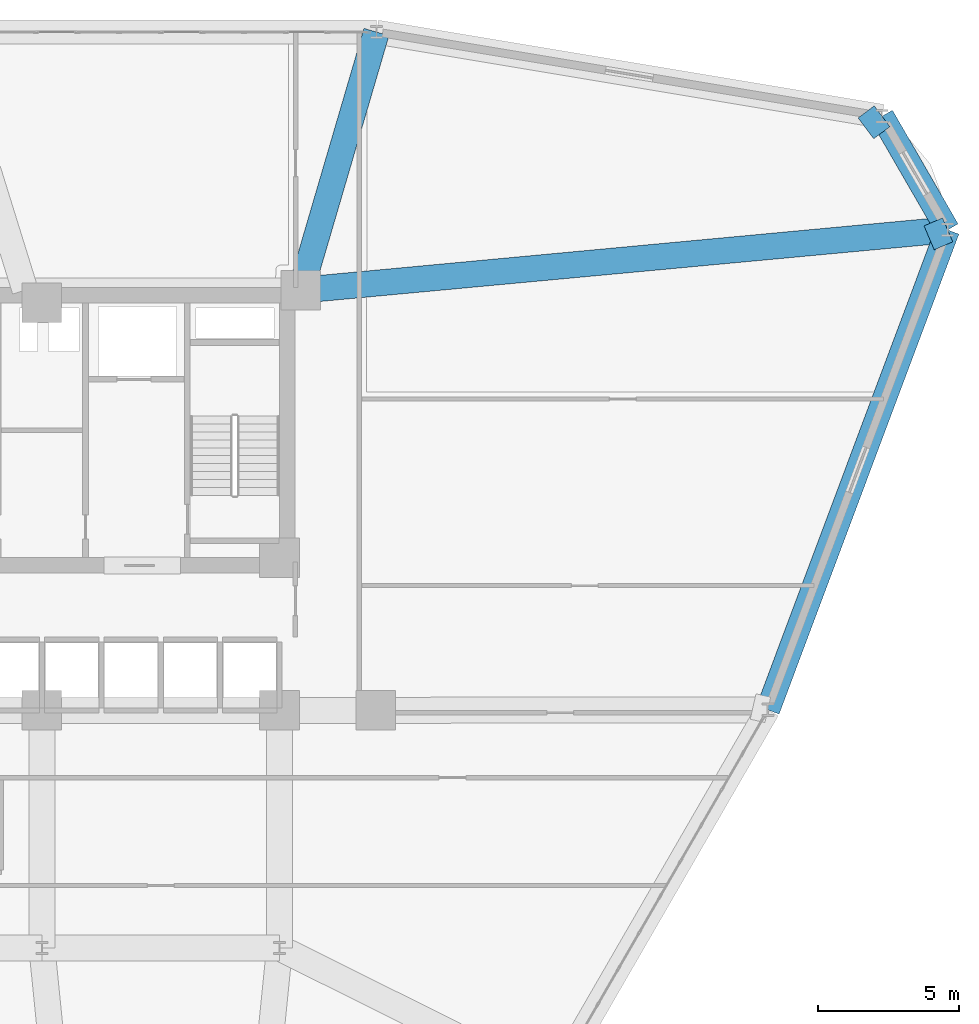
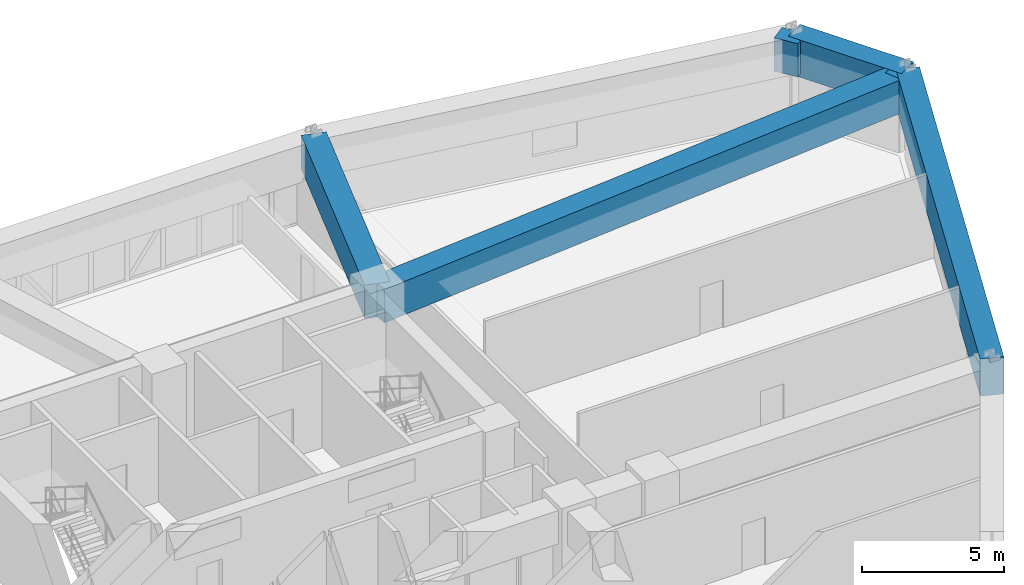
# One storey, part 11 of 18: 6 beams.
"""IFC4 building model written with IfcOpenShell, lengths in metres."""

import ifcopenshell
import ifcopenshell.guid

model = None  # the IFC model being written
_history = None  # IfcOwnerHistory: only IFC2X3 demands one
_inside = {}  # id of a spatial element -> (the spatial element, [elements in it])
_under = {}  # id of a project, library or spatial element -> (it, [spatial elements below it])
_declared = {}  # id of a project -> (the project, [libraries it declares])
_typed = {}  # id of a type object -> (the type object, [elements of that type])
_made_of = {}  # id of a material, layer set ... -> (it, [elements and type objects made of it])


def new_model(schema):
    """Start an empty IFC model of exactly this schema.

    Asked for "IFC4X3", IfcOpenShell would pick the latest addendum, in which some entities
    have other attributes; the version numbers below select the first issue.
    IFC2X3 requires an IfcOwnerHistory on every rooted entity: one is made here for all.
    """
    global model, _history
    if schema == "IFC4X3":
        model = ifcopenshell.file(schema_version=(4, 3, 0, 0))
    else:
        model = ifcopenshell.file(schema=schema)
    _inside.clear()
    _under.clear()
    _declared.clear()
    _typed.clear()
    _made_of.clear()
    _history = None
    if model.schema == "IFC2X3":
        org = make("IfcOrganization", Name="unknown")
        user = make(
            "IfcPersonAndOrganization",
            ThePerson=make("IfcPerson", FamilyName="unknown"),
            TheOrganization=org,
        )
        app = make(
            "IfcApplication",
            ApplicationDeveloper=org,
            Version="unknown",
            ApplicationFullName="unknown",
            ApplicationIdentifier="unknown",
        )
        _history = make(
            "IfcOwnerHistory",
            OwningUser=user,
            OwningApplication=app,
            ChangeAction="ADDED",
            CreationDate=0,
        )
    return model


def make(cls, **values):
    """One entity of the class cls with the attributes given. An attribute that is None is left unset."""
    return model.create_entity(
        cls, **{name: value for name, value in values.items() if value is not None}
    )


def rooted(cls, **values):
    """An entity with a GlobalId (a new one), such as an element, a storey or a relation."""
    return make(cls, GlobalId=ifcopenshell.guid.new(), OwnerHistory=_history, **values)


def si_unit(unit_type, name, prefix=None):
    """IfcSIUnit, for example si_unit("LENGTHUNIT", "METRE", prefix="MILLI")."""
    return make("IfcSIUnit", UnitType=unit_type, Prefix=prefix, Name=name)


def derived_unit(unit_type, elements):
    """IfcDerivedUnit: a product of units, each with its exponent."""
    return make(
        "IfcDerivedUnit",
        Elements=[
            make("IfcDerivedUnitElement", Unit=unit, Exponent=power)
            for unit, power in elements
        ],
        UnitType=unit_type,
    )


def assignment(units):
    """IfcUnitAssignment: the units of a project."""
    return None if units is None else make("IfcUnitAssignment", Units=units)


def point(xyz):
    """IfcCartesianPoint."""
    return None if xyz is None else make("IfcCartesianPoint", Coordinates=xyz)


def direction(xyz):
    """IfcDirection."""
    return None if xyz is None else make("IfcDirection", DirectionRatios=xyz)


def frame(location, z_axis=None, x_axis=None):
    """IfcAxis2Placement3D, a coordinate frame: its origin and axes. An axis left out is left unset."""
    return make(
        "IfcAxis2Placement3D",
        Location=point(location),
        Axis=direction(z_axis),
        RefDirection=direction(x_axis),
    )


def frame_2d(location, x_axis=None):
    """IfcAxis2Placement2D, a coordinate frame in the plane: its origin and x axis."""
    return make(
        "IfcAxis2Placement2D", Location=point(location), RefDirection=direction(x_axis)
    )


def origin():
    """The frame at (0, 0, 0) with its axes left unset."""
    return frame((0.0, 0.0, 0.0))


def origin_2d():
    """The frame at (0, 0) in the plane with its x axis left unset."""
    return frame_2d((0.0, 0.0))


def place(relative_to, where):
    """IfcLocalPlacement: puts the frame where relative to a parent placement (None: the world)."""
    return make(
        "IfcLocalPlacement", PlacementRelTo=relative_to, RelativePlacement=where
    )


def context(
    kind, dimensions, precision=None, world=None, true_north=None, identifier=None
):
    """IfcGeometricRepresentationContext, for example the 3D "Model" context."""
    return make(
        "IfcGeometricRepresentationContext",
        ContextIdentifier=identifier,
        ContextType=kind,
        CoordinateSpaceDimension=dimensions,
        Precision=precision,
        WorldCoordinateSystem=world,
        TrueNorth=true_north,
    )


def subcontext(parent, identifier, kind, view, scale=None):
    """IfcGeometricRepresentationSubContext, for example "Body" below "Model"."""
    return make(
        "IfcGeometricRepresentationSubContext",
        ContextIdentifier=identifier,
        ContextType=kind,
        ParentContext=parent,
        TargetScale=scale,
        TargetView=view,
    )


def project(units=None, contexts=None):
    """IfcProject with its units and contexts."""
    return rooted(
        "IfcProject",
        Name="project",
        RepresentationContexts=contexts,
        UnitsInContext=assignment(units),
    )


def spatial(cls, under=None, at=None, **own):
    """A site, building, storey or space (cls), placed at a placement, below another one or the project."""
    s = rooted(cls, ObjectPlacement=at, **own)
    if under is not None:
        _under.setdefault(under.id(), (under, []))[1].append(s)
    return s


def profile(cls, at=None, kind="AREA", **sizes):
    """A parametric profile (cls). Its sizes go by their IFC names, for example OverallWidth=200.0."""
    return make(cls, ProfileType=kind, Position=at, **sizes)


def rectangle(**sizes):
    """IfcRectangleProfileDef."""
    return profile("IfcRectangleProfileDef", **sizes)


def extrude(swept, where, along, depth):
    """IfcExtrudedAreaSolid: the profile swept, set in the frame where, extruded along a direction by depth."""
    return make(
        "IfcExtrudedAreaSolid",
        SweptArea=swept,
        Position=where,
        ExtrudedDirection=direction(along),
        Depth=depth,
    )


def shape(context_of_items, identifier, shape_type, items):
    """IfcShapeRepresentation: the items that make up one representation, for example the "Body"."""
    return make(
        "IfcShapeRepresentation",
        ContextOfItems=context_of_items,
        RepresentationIdentifier=identifier,
        RepresentationType=shape_type,
        Items=items,
    )


def source(mapping_origin, context_of_items, identifier, shape_type, items):
    """IfcRepresentationMap: a shape defined once, which mapped items show again and again."""
    return make(
        "IfcRepresentationMap",
        MappingOrigin=mapping_origin,
        MappedRepresentation=shape(context_of_items, identifier, shape_type, items),
    )


def transform(
    local_origin,
    x_axis=None,
    y_axis=None,
    z_axis=None,
    scale=None,
    scale2=None,
    scale3=None,
    uniform=True,
):
    """IfcCartesianTransformationOperator3D, or its non-uniform kind. x_axis, y_axis, z_axis: its Axis1, 2, 3."""
    if uniform:
        return make(
            "IfcCartesianTransformationOperator3D",
            Axis1=direction(x_axis),
            Axis2=direction(y_axis),
            LocalOrigin=point(local_origin),
            Scale=scale,
            Axis3=direction(z_axis),
        )
    return make(
        "IfcCartesianTransformationOperator3DnonUniform",
        Axis1=direction(x_axis),
        Axis2=direction(y_axis),
        LocalOrigin=point(local_origin),
        Scale=scale,
        Axis3=direction(z_axis),
        Scale2=scale2,
        Scale3=scale3,
    )


def mapped(mapping_source, mapping_target):
    """IfcMappedItem: shows the shape of a source again, moved by a transform."""
    return make(
        "IfcMappedItem", MappingSource=mapping_source, MappingTarget=mapping_target
    )


def material(Name=None, Category=None):
    """IfcMaterial."""
    return make("IfcMaterial", Name=Name, Category=Category)


def material_profile(
    of_material, cross_section, Name=None, Category=None, Priority=None
):
    """IfcMaterialProfile: a cross section and its material."""
    return make(
        "IfcMaterialProfile",
        Name=Name,
        Material=of_material,
        Profile=cross_section,
        Priority=Priority,
        Category=Category,
    )


def profile_set(profiles, Name=None, composite=None):
    """IfcMaterialProfileSet."""
    return make(
        "IfcMaterialProfileSet",
        Name=Name,
        MaterialProfiles=profiles,
        CompositeProfile=composite,
    )


def made_of(thing, what):
    """Note that an element or type object is made of a material, layer set ...; save() writes the relation."""
    if what is not None:
        _made_of.setdefault(what.id(), (what, []))[1].append(thing)
    return thing


def type_object(cls, material=None, **own):
    """A type object (cls), such as IfcWallType, which elements share."""
    return made_of(rooted(cls, **own), material)


def element(
    cls,
    number,
    at=None,
    inside=None,
    cuts=None,
    type_object=None,
    material=None,
    context=None,
    identifier="Body",
    shape_type=None,
    held_by="IfcProductDefinitionShape",
    body=None,
    shapes=None,
    **own,
):
    """One element of the class cls, such as IfcWall. Its Tag is "e" and its number.

    at: its placement. inside: the storey or other place that contains it. cuts: it is an
    opening in that element (IfcRelVoidsElement). A single representation is given by context,
    identifier, shape_type and body (its items); several are given by shapes. held_by: the class
    of the entity that holds the representations. save() writes the other relations.
    """
    e = rooted(cls, Tag="e%d" % number, ObjectPlacement=at, **own)
    if body is not None:
        shapes = [shape(context, identifier, shape_type, body)]
    if shapes is not None:
        e.Representation = make(held_by, Representations=shapes)
    if inside is not None:
        _inside.setdefault(inside.id(), (inside, []))[1].append(e)
    if cuts is not None:
        rooted(
            "IfcRelVoidsElement", RelatingBuildingElement=cuts, RelatedOpeningElement=e
        )
    if type_object is not None:
        _typed.setdefault(type_object.id(), (type_object, []))[1].append(e)
    return made_of(e, material)


def aggregate(whole, parts):
    """IfcRelAggregates: a whole, such as a stair, and the parts it consists of."""
    return rooted("IfcRelAggregates", RelatingObject=whole, RelatedObjects=parts)


def save(model, path):
    """Write the relations noted so far, then the file.

    IfcRelAggregates (storeys below a building ...), IfcRelContainedInSpatialStructure (elements
    in a storey), IfcRelDefinesByType, IfcRelAssociatesMaterial and IfcRelDeclares: one each for
    every whole, place, type object, material and project.
    """
    for whole, parts in _under.values():
        aggregate(whole, parts)
    for where, things in _inside.values():
        rooted(
            "IfcRelContainedInSpatialStructure",
            RelatedElements=things,
            RelatingStructure=where,
        )
    for kind, things in _typed.values():
        rooted("IfcRelDefinesByType", RelatedObjects=things, RelatingType=kind)
    for what, things in _made_of.values():
        rooted("IfcRelAssociatesMaterial", RelatedObjects=things, RelatingMaterial=what)
    for by, libraries in _declared.values():
        rooted("IfcRelDeclares", RelatingContext=by, RelatedDefinitions=libraries)
    model.write(path)


model = new_model("IFC4")

# Units and contexts
model_context = context("Model", 3, precision=1e-05, world=origin(), true_north=direction((0.0, 1.0)))
body_context = subcontext(model_context, "Body", "Model", "MODEL_VIEW")
ifc_project = project(units=[si_unit("LENGTHUNIT", "METRE"), si_unit("AREAUNIT", "SQUARE_METRE"), si_unit("VOLUMEUNIT", "CUBIC_METRE"), si_unit("PLANEANGLEUNIT", "RADIAN"), si_unit("MASSUNIT", "GRAM", prefix="KILO"), derived_unit("THERMALTRANSMITTANCEUNIT", [(si_unit("POWERUNIT", "WATT"), 1), (si_unit("LENGTHUNIT", "METRE"), -2), (si_unit("THERMODYNAMICTEMPERATUREUNIT", "KELVIN"), -1)])], contexts=[model_context])

# Site, building, storey
site_placement = place(None, origin())
site = spatial("IfcSite", under=ifc_project, at=site_placement, CompositionType="ELEMENT")
building_placement = place(site_placement, origin())
building = spatial("IfcBuilding", under=site, at=building_placement, Name="Korsvarv Bourse and Concert Hall", CompositionType="ELEMENT")
storey_placement = place(building_placement, frame((0.0, 0.0, 71.699951171875)))
storey = spatial("IfcBuildingStorey", under=building, at=storey_placement, Name="L17", CompositionType="ELEMENT", Elevation=71.699951171875)

# Beams
ifc_material_1 = material(Name="Concrete C50/60", Category="concrete")
ifc_material_profile_1 = material_profile(ifc_material_1, rectangle(XDim=0.919921875, YDim=1.43994140625, at=origin_2d()), Name="RC-BM 920x1440")
ifc_profile_set_1 = profile_set([ifc_material_profile_1], Name="Concrete C50/60")
beam_type_1 = type_object("IfcBeamType", Name="BM-TR-144", PredefinedType="BEAM", material=ifc_profile_set_1)
shared_shape_1 = source(origin(), body_context, "Body", "SweptSolid", [
    extrude(rectangle(XDim=0.919921875, YDim=1.43994140625, at=origin_2d()), origin(), (0.0, 0.0, 1.0), 0.711669921875),
])
beam_1_placement = place(storey_placement, frame((68.0166015625, 49.382080078125, 2.9599609375), z_axis=(-0.919464150532, -0.393173849444, 0.0), x_axis=(0.393173849444, -0.919464150532, 0.0)))
element("IfcBeam", 1, at=beam_1_placement, inside=storey, type_object=beam_type_1, Name="L17 beam B-TR4", PredefinedType="BEAM", context=body_context, shape_type="MappedRepresentation", body=[
    mapped(shared_shape_1, transform((0.0, 0.0, 0.0), scale=1.0)),
])
ifc_material_2 = material(Name="Concrete C55/67", Category="concrete")
ifc_material_profile_2 = material_profile(ifc_material_2, rectangle(XDim=0.85009765625, YDim=1.60009765625, at=origin_2d()), Name="RC-BM 850x1600")
ifc_profile_set_2 = profile_set([ifc_material_profile_2], Name="Concrete C55/67")
beam_type_2 = type_object("IfcBeamType", Name="BM-TR1B", PredefinedType="BEAM", material=ifc_profile_set_2)
shared_shape_2 = source(origin(), body_context, "Body", "SweptSolid", [
    extrude(rectangle(XDim=0.85009765625, YDim=1.60009765625, at=origin_2d()), origin(), (0.0, 0.0, 1.0), 4.637939453125),
])
beam_2_placement = place(storey_placement, frame((68.0166015625, 49.382080078125, 2.880126953125), z_axis=(-0.499977629202, 0.866038319186, 0.0), x_axis=(-0.866038319186, -0.499977629202, 0.0)))
element("IfcBeam", 2, at=beam_2_placement, inside=storey, type_object=beam_type_2, Name="L17 beam B-TR2", PredefinedType="BEAM", context=body_context, shape_type="MappedRepresentation", body=[
    mapped(shared_shape_2, transform((0.0, 0.0, 0.0), scale=1.0)),
])
shared_shape_3 = source(origin(), body_context, "Body", "SweptSolid", [
    extrude(rectangle(XDim=0.85009765625, YDim=1.60009765625, at=origin_2d()), origin(), (0.0, 0.0, 1.0), 18.1171875),
])
beam_3_placement = place(storey_placement, frame((61.66015625, 32.41650390625, 2.880126953125), z_axis=(0.350850223085, 0.936431589045, 0.0), x_axis=(-0.936431589045, 0.350850223085, 0.0)))
element("IfcBeam", 3, at=beam_3_placement, inside=storey, type_object=beam_type_2, Name="L17 beam B-TR2", PredefinedType="BEAM", context=body_context, shape_type="MappedRepresentation", body=[
    mapped(shared_shape_3, transform((0.0, 0.0, 0.0), scale=1.0)),
])
shared_shape_4 = source(origin(), body_context, "Body", "SweptSolid", [
    extrude(rectangle(XDim=0.919921875, YDim=1.43994140625, at=origin_2d()), origin(), (0.0, 0.0, 1.0), 22.9658203125),
])
beam_4_placement = place(storey_placement, frame((68.0166015625, 49.382080078125, 2.9599609375), z_axis=(-0.995681334158, -0.092836850496, 0.0), x_axis=(0.092836850496, -0.995681334158, 0.0)))
element("IfcBeam", 4, at=beam_4_placement, inside=storey, type_object=beam_type_1, Name="L17 beam B-TR4", PredefinedType="BEAM", context=body_context, shape_type="MappedRepresentation", body=[
    mapped(shared_shape_4, transform((0.0, 0.0, 0.0), scale=1.0)),
])
shared_shape_5 = source(origin(), body_context, "Body", "SweptSolid", [
    extrude(rectangle(XDim=0.919921875, YDim=1.43994140625, at=origin_2d()), origin(), (0.0, 0.0, 1.0), 9.51123046875),
])
beam_5_placement = place(storey_placement, frame((47.82666015625, 56.376708984375, 2.9599609375), z_axis=(-0.281433860533, -0.959580628267, 0.0), x_axis=(0.959580628267, -0.281433860533, 0.0)))
element("IfcBeam", 5, at=beam_5_placement, inside=storey, type_object=beam_type_1, Name="L17 beam B-TR4", PredefinedType="BEAM", context=body_context, shape_type="MappedRepresentation", body=[
    mapped(shared_shape_5, transform((0.0, 0.0, 0.0), scale=1.0)),
])
shared_shape_6 = source(origin(), body_context, "Body", "SweptSolid", [
    extrude(rectangle(XDim=0.919921875, YDim=1.43994140625, at=origin_2d()), origin(), (0.0, 0.0, 1.0), 0.7119140625),
])
beam_6_placement = place(storey_placement, frame((65.69775390625, 53.398681640625, 2.9599609375), z_axis=(-0.800411334369, -0.599451162158, 0.0), x_axis=(0.599451162158, -0.800411334369, 0.0)))
element("IfcBeam", 6, at=beam_6_placement, inside=storey, type_object=beam_type_1, Name="L17 beam B-TR4", PredefinedType="BEAM", context=body_context, shape_type="MappedRepresentation", body=[
    mapped(shared_shape_6, transform((0.0, 0.0, 0.0), scale=1.0)),
])

save(model, "model.ifc")
